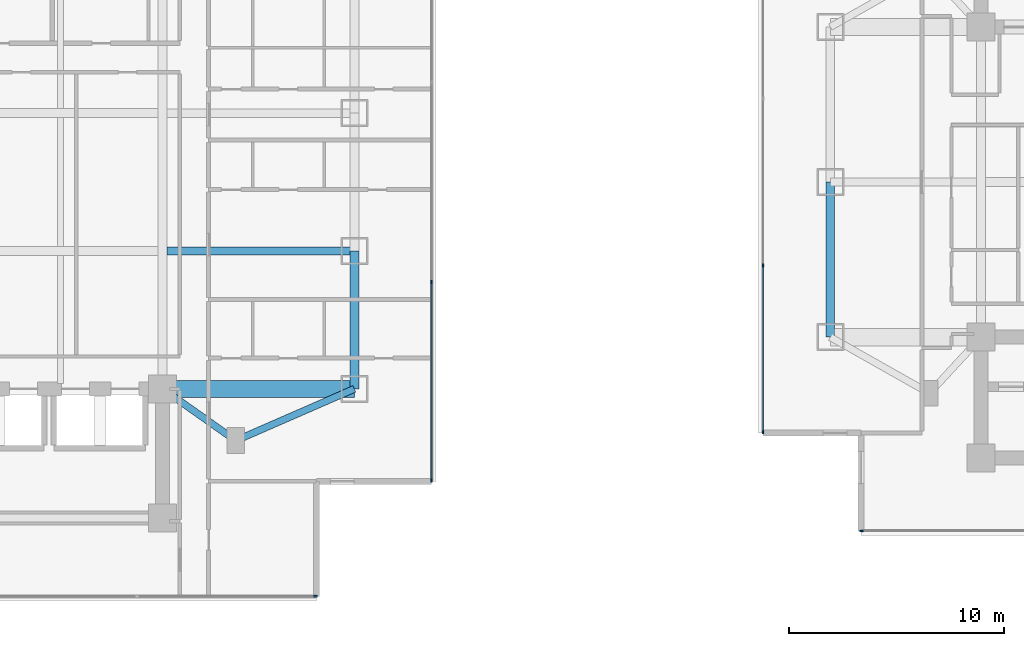
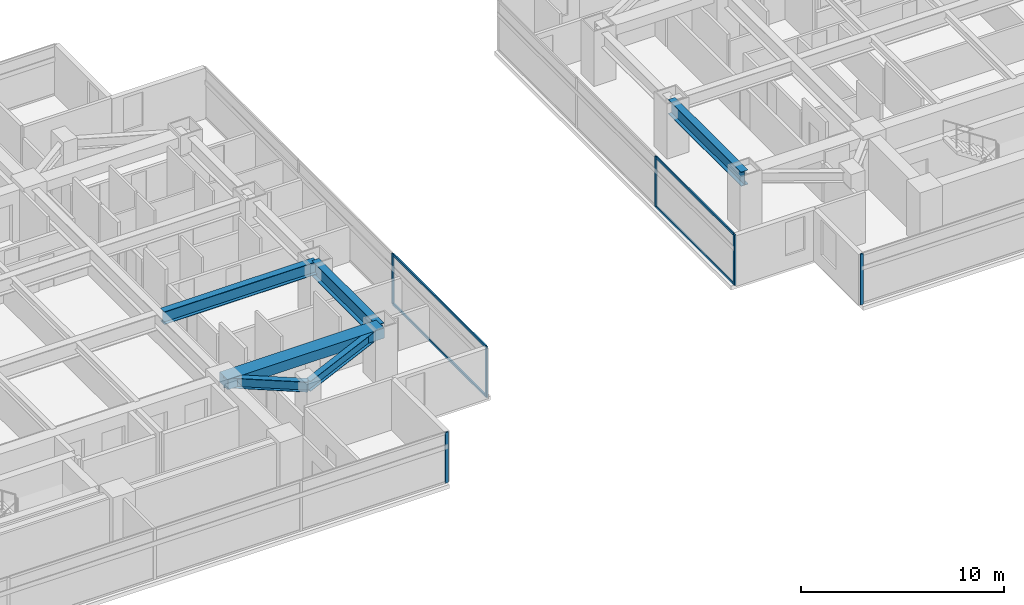
# One storey, part 5 of 24: 10 members, 6 beams, 4 elements without a shape of their own.
"""IFC4 building model written with IfcOpenShell, lengths in metres."""

from ifc_helpers import new_model, si_unit, direction, frame, origin, origin_2d, place, context, subcontext, project, spatial, rectangle, i_section, extrude, material, material_profile, profile_set, type_object, element, aggregate, save


model = new_model("IFC4")

# Units and contexts
model_context = context("Model", 3, precision=1e-05, world=origin(), true_north=direction((0.0, 1.0)))
body_context = subcontext(model_context, "Body", "Model", "MODEL_VIEW")
ifc_project = project(units=[si_unit("LENGTHUNIT", "METRE"), si_unit("AREAUNIT", "SQUARE_METRE"), si_unit("VOLUMEUNIT", "CUBIC_METRE"), si_unit("PLANEANGLEUNIT", "RADIAN"), si_unit("MASSUNIT", "GRAM", prefix="KILO")], contexts=[model_context])

# Site, building, storey
site_placement = place(None, origin())
site = spatial("IfcSite", under=ifc_project, at=site_placement, CompositionType="ELEMENT")
building_placement = place(site_placement, origin())
building = spatial("IfcBuilding", under=site, at=building_placement, Name="Mirazonda Arch Towers", CompositionType="ELEMENT")
storey_placement = place(building_placement, frame((0.0, 0.0, 68.60009765625)))
storey = spatial("IfcBuildingStorey", under=building, at=storey_placement, Name="L19", CompositionType="ELEMENT", Elevation=68.60009765625)

# Beams
ifc_material_1 = material(Name="Steel ASTM A992 Grade 50", Category="steel")
ifc_material_profile_1 = material_profile(ifc_material_1, i_section(OverallWidth=0.39990234375, OverallDepth=0.85595703125, WebThickness=0.018310546875, FlangeThickness=0.029296875, at=origin_2d()), Name="W33X201")
ifc_profile_set_1 = profile_set([ifc_material_profile_1], Name="Steel ASTM A992 Grade 50")
beam_type_1 = type_object("IfcBeamType", Name="BM-EXT-W33X201", PredefinedType="USERDEFINED", material=ifc_profile_set_1)
beam_1_placement = place(storey_placement, frame((61.0, 20.800048828125, 2.6318359375), z_axis=(0.0, 1.0, 0.0), x_axis=(-1.0, 0.0, 0.0)))
element("IfcBeam", 1, at=beam_1_placement, inside=storey, type_object=beam_type_1, Name="L19 Floor Beam BM-T2-L19-NS-W-20", ObjectType="GIRDER", PredefinedType="USERDEFINED", context=body_context, shape_type="SweptSolid", body=[
    extrude(i_section(OverallWidth=0.39990234375, OverallDepth=0.85595703125, WebThickness=0.018310546875, FlangeThickness=0.029296875, at=origin_2d()), origin(), (0.0, 0.0, 1.0), 7.199951171875),
])
ifc_material_profile_2 = material_profile(ifc_material_1, i_section(OverallWidth=0.41796875, OverallDepth=0.927001953125, WebThickness=0.019287109375, FlangeThickness=0.031982421875, at=origin_2d()), Name="W36X231")
ifc_profile_set_2 = profile_set([ifc_material_profile_2], Name="Steel ASTM A992 Grade 50")
beam_type_2 = type_object("IfcBeamType", Name="BM-EXT-W36X231", PredefinedType="USERDEFINED", material=ifc_profile_set_2)
beam_2_placement = place(storey_placement, frame((38.89990234375, 18.39990234375, 2.596435546875), z_axis=(0.0, 1.0, 0.0), x_axis=(-1.0, 0.0, 0.0)))
element("IfcBeam", 2, at=beam_2_placement, inside=storey, type_object=beam_type_2, Name="L19 Floor Beam BM-T1-L19-NS-E-18", ObjectType="GIRDER", PredefinedType="USERDEFINED", context=body_context, shape_type="SweptSolid", body=[
    extrude(i_section(OverallWidth=0.41796875, OverallDepth=0.927001953125, WebThickness=0.019287109375, FlangeThickness=0.031982421875, at=origin_2d()), origin(), (0.0, 0.0, 1.0), 6.400146484375),
])
ifc_material_profile_3 = material_profile(ifc_material_1, i_section(OverallWidth=0.324951171875, OverallDepth=0.615966796875, WebThickness=0.013916015625, FlangeThickness=0.021484375, at=origin_2d()), Name="W24X117")
ifc_profile_set_3 = profile_set([ifc_material_profile_3], Name="Steel ASTM A992 Grade 50")
beam_type_3 = type_object("IfcBeamType", Name="BM-INT-W24X117", PredefinedType="BEAM", material=ifc_profile_set_3)
beam_3_placement = place(storey_placement, frame((33.39990234375, 16.0, 2.751953125), z_axis=(-0.816971114901, 0.576678591087, 0.0), x_axis=(-0.576678591087, -0.816971114901, 0.0)))
element("IfcBeam", 3, at=beam_3_placement, inside=storey, type_object=beam_type_3, Name="L19 Floor Beam BM-T1-L19-PL-SE1", PredefinedType="BEAM", context=body_context, shape_type="SweptSolid", body=[
    extrude(i_section(OverallWidth=0.324951171875, OverallDepth=0.615966796875, WebThickness=0.013916015625, FlangeThickness=0.021484375, at=origin_2d()), origin(), (0.0, 0.0, 1.0), 4.16162109375),
])
beam_4_placement = place(storey_placement, frame((33.39990234375, 16.0, 2.751953125), z_axis=(0.916545343703, 0.399930785183, 0.0), x_axis=(-0.399930785183, 0.916545343703, 0.0)))
element("IfcBeam", 4, at=beam_4_placement, inside=storey, type_object=beam_type_3, Name="L19 Floor Beam BM-T1-L19-PL-SE2", PredefinedType="BEAM", context=body_context, shape_type="SweptSolid", body=[
    extrude(i_section(OverallWidth=0.324951171875, OverallDepth=0.615966796875, WebThickness=0.013916015625, FlangeThickness=0.021484375, at=origin_2d()), origin(), (0.0, 0.0, 1.0), 6.000732421875),
])
ifc_material_profile_4 = material_profile(ifc_material_1, i_section(OverallWidth=0.381103515625, OverallDepth=0.77294921875, WebThickness=0.0166015625, FlangeThickness=0.027099609375, at=origin_2d()), Name="W30X173")
ifc_profile_set_4 = profile_set([ifc_material_profile_4], Name="Steel ASTM A992 Grade 50")
beam_type_4 = type_object("IfcBeamType", Name="BM-INT-W30X173", PredefinedType="USERDEFINED", material=ifc_profile_set_4)
beam_5_placement = place(storey_placement, frame((30.21142578125, 24.800048828125, 2.67333984375), z_axis=(1.0, 0.0, 0.0), x_axis=(0.0, 1.0, 0.0)))
element("IfcBeam", 5, at=beam_5_placement, inside=storey, type_object=beam_type_4, Name="L19 Floor Beam BM-T1-L19-GE2", ObjectType="GIRDER", PredefinedType="USERDEFINED", context=body_context, shape_type="SweptSolid", body=[
    extrude(i_section(OverallWidth=0.381103515625, OverallDepth=0.77294921875, WebThickness=0.0166015625, FlangeThickness=0.027099609375, at=origin_2d()), origin(), (0.0, 0.0, 1.0), 8.6884765625),
])
ifc_material_2 = material(Name="Concrete C60/75", Category="concrete")
ifc_material_profile_5 = material_profile(ifc_material_2, rectangle(XDim=0.800048828125, YDim=0.60009765625, at=origin_2d()), Name="RCCB800x600")
ifc_profile_set_5 = profile_set([ifc_material_profile_5], Name="Concrete C60/75")
beam_type_5 = type_object("IfcBeamType", Name="CB-INT-RCCB800x600", PredefinedType="SPANDREL", material=ifc_profile_set_5)
beam_6_placement = place(storey_placement, frame((30.0, 18.39990234375, 2.760009765625), z_axis=(1.0, 0.0, 0.0), x_axis=(0.0, 1.0, 0.0)))
element("IfcBeam", 6, at=beam_6_placement, inside=storey, type_object=beam_type_5, Name="L19 Floor Beam CBC-T1-L19-SE", PredefinedType="SPANDREL", context=body_context, shape_type="SweptSolid", body=[
    extrude(rectangle(XDim=0.800048828125, YDim=0.60009765625, at=origin_2d()), origin(), (0.0, 0.0, 1.0), 8.89990234375),
])

# Curtain wall, member
ifc_material_3 = material(Name="Anodised Aluminium and Low-E Glass", Category="aluminium")
curtain_wall_type = type_object("IfcCurtainWallType", Name="CW-HTL-UNIT", PredefinedType="NOTDEFINED", material=ifc_material_3)
curtain_wall_1_placement = place(storey_placement, origin())
curtain_wall_1 = element("IfcCurtainWall", 7, at=curtain_wall_1_placement, inside=storey, type_object=curtain_wall_type, Name="L19 T1 S Facade CW-L19-T1-S", PredefinedType="NOTDEFINED")
ifc_material_4 = material(Name="Anodised Aluminium Alloy", Category="aluminium")
ifc_material_profile_6 = material_profile(ifc_material_4, rectangle(XDim=0.074951171875, YDim=0.1650390625, at=origin_2d()), Name="ALU-MULL-75x165")
ifc_profile_set_6 = profile_set([ifc_material_profile_6], Name="Anodised Aluminium Alloy")
member_type_1 = type_object("IfcMemberType", Name="MULL-CW-HTL-UNIT", PredefinedType="MULLION", material=ifc_profile_set_6)
member_1_placement = place(storey_placement, frame((37.1025390625, 8.77001953125, 0.0), z_axis=(0.0, 0.0, 1.0), x_axis=(0.0, -1.0, 0.0)))
member_1 = element("IfcMember", 8, at=member_1_placement, type_object=member_type_1, Name="CW-112 mullion 1", PredefinedType="MULLION", context=body_context, shape_type="SweptSolid", body=[
    extrude(rectangle(XDim=0.074951171875, YDim=0.1650390625, at=origin_2d()), origin(), (0.0, 0.0, 1.0), 3.039794921875),
])
aggregate(curtain_wall_1, [member_1])

# Curtain wall, members
curtain_wall_2_placement = place(storey_placement, origin())
curtain_wall_2 = element("IfcCurtainWall", 9, at=curtain_wall_2_placement, inside=storey, type_object=curtain_wall_type, Name="L19 T1 E Facade CW-L19-T1-E", PredefinedType="NOTDEFINED")
member_2_placement = place(storey_placement, frame((42.47998046875, 14.1474609375, 0.0), z_axis=(0.0, 0.0, 1.0), x_axis=(-1.0, 0.0, 0.0)))
member_2 = element("IfcMember", 10, at=member_2_placement, type_object=member_type_1, Name="CW-112 mullion 1", PredefinedType="MULLION", context=body_context, shape_type="SweptSolid", body=[
    extrude(rectangle(XDim=0.074951171875, YDim=0.1650390625, at=origin_2d()), origin(), (0.0, 0.0, 1.0), 3.039794921875),
])
member_3_placement = place(storey_placement, frame((42.47998046875, 23.3701171875, 0.0), z_axis=(0.0, 0.0, 1.0), x_axis=(-1.0, 0.0, 0.0)))
member_3 = element("IfcMember", 11, at=member_3_placement, type_object=member_type_1, Name="CW-112 mullion 2", PredefinedType="MULLION", context=body_context, shape_type="SweptSolid", body=[
    extrude(rectangle(XDim=0.074951171875, YDim=0.1650390625, at=origin_2d()), origin(), (0.0, 0.0, 1.0), 3.039794921875),
])

# Curtain wall, member
curtain_wall_3_placement = place(storey_placement, origin())
curtain_wall_3 = element("IfcCurtainWall", 12, at=curtain_wall_3_placement, inside=storey, type_object=curtain_wall_type, Name="L19 T2 S Facade CW-L19-T2-S", PredefinedType="NOTDEFINED")
member_4_placement = place(storey_placement, frame((62.45361328125, 11.8076171875, 0.0), z_axis=(0.0, 0.0, 1.0), x_axis=(0.0, -1.0, 0.0)))
member_4 = element("IfcMember", 13, at=member_4_placement, type_object=member_type_1, Name="CW-112 mullion 4", PredefinedType="MULLION", context=body_context, shape_type="SweptSolid", body=[
    extrude(rectangle(XDim=0.074951171875, YDim=0.1650390625, at=origin_2d()), origin(), (0.0, 0.0, 1.0), 3.039794921875),
])
aggregate(curtain_wall_3, [member_4])

# Curtain wall, members
curtain_wall_4_placement = place(storey_placement, origin())
curtain_wall_4 = element("IfcCurtainWall", 14, at=curtain_wall_4_placement, inside=storey, type_object=curtain_wall_type, Name="L19 T2 W Facade CW-L19-T2-W", PredefinedType="NOTDEFINED")
member_5_placement = place(storey_placement, frame((57.8701171875, 24.117919921875, 0.0), z_axis=(0.0, 0.0, 1.0), x_axis=(1.0, 0.0, 0.0)))
member_5 = element("IfcMember", 15, at=member_5_placement, type_object=member_type_1, Name="CW-112 mullion 3", PredefinedType="MULLION", context=body_context, shape_type="SweptSolid", body=[
    extrude(rectangle(XDim=0.074951171875, YDim=0.1650390625, at=origin_2d()), origin(), (0.0, 0.0, 1.0), 3.039794921875),
])
member_6_placement = place(storey_placement, frame((57.8701171875, 16.39111328125, 0.0), z_axis=(0.0, 0.0, 1.0), x_axis=(1.0, 0.0, 0.0)))
member_6 = element("IfcMember", 16, at=member_6_placement, type_object=member_type_1, Name="CW-112 mullion 4", PredefinedType="MULLION", context=body_context, shape_type="SweptSolid", body=[
    extrude(rectangle(XDim=0.074951171875, YDim=0.1650390625, at=origin_2d()), origin(), (0.0, 0.0, 1.0), 3.039794921875),
])

# Member
ifc_material_profile_7 = material_profile(ifc_material_4, rectangle(XDim=0.074951171875, YDim=0.14501953125, at=origin_2d()), Name="ALU-TRAN-75x145")
ifc_profile_set_7 = profile_set([ifc_material_profile_7], Name="Anodised Aluminium Alloy")
member_type_2 = type_object("IfcMemberType", Name="TRAN-CW-HTL-UNIT", PredefinedType="USERDEFINED", material=ifc_profile_set_7)
member_7_placement = place(storey_placement, frame((42.47998046875, 14.18505859375, 0.037353515625), z_axis=(0.0, 1.0, 0.0), x_axis=(-1.0, 0.0, 0.0)))
member_7 = element("IfcMember", 17, at=member_7_placement, type_object=member_type_2, Name="CW-112 transom 1.1", ObjectType="TRANSOM", PredefinedType="USERDEFINED", context=body_context, shape_type="SweptSolid", body=[
    extrude(rectangle(XDim=0.074951171875, YDim=0.14501953125, at=origin_2d()), origin(), (0.0, 0.0, 1.0), 9.1474609375),
])

member_8_placement = place(storey_placement, frame((42.47998046875, 14.18505859375, 3.00244140625), z_axis=(0.0, 1.0, 0.0), x_axis=(-1.0, 0.0, 0.0)))
member_8 = element("IfcMember", 18, at=member_8_placement, type_object=member_type_2, Name="CW-112 transom 1.2", ObjectType="TRANSOM", PredefinedType="USERDEFINED", context=body_context, shape_type="SweptSolid", body=[
    extrude(rectangle(XDim=0.074951171875, YDim=0.14501953125, at=origin_2d()), origin(), (0.0, 0.0, 1.0), 9.1474609375),
])

aggregate(curtain_wall_2, [member_2, member_3, member_7, member_8])

member_9_placement = place(storey_placement, frame((57.8701171875, 24.080322265625, 0.037353515625), z_axis=(0.0, -1.0, 0.0), x_axis=(1.0, 0.0, 0.0)))
member_9 = element("IfcMember", 19, at=member_9_placement, type_object=member_type_2, Name="CW-112 transom 3.1", ObjectType="TRANSOM", PredefinedType="USERDEFINED", context=body_context, shape_type="SweptSolid", body=[
    extrude(rectangle(XDim=0.074951171875, YDim=0.14501953125, at=origin_2d()), origin(), (0.0, 0.0, 1.0), 7.65185546875),
])

member_10_placement = place(storey_placement, frame((57.8701171875, 24.080322265625, 3.00244140625), z_axis=(0.0, -1.0, 0.0), x_axis=(1.0, 0.0, 0.0)))
member_10 = element("IfcMember", 20, at=member_10_placement, type_object=member_type_2, Name="CW-112 transom 3.2", ObjectType="TRANSOM", PredefinedType="USERDEFINED", context=body_context, shape_type="SweptSolid", body=[
    extrude(rectangle(XDim=0.074951171875, YDim=0.14501953125, at=origin_2d()), origin(), (0.0, 0.0, 1.0), 7.65185546875),
])

aggregate(curtain_wall_4, [member_5, member_6, member_9, member_10])

save(model, "model.ifc")
